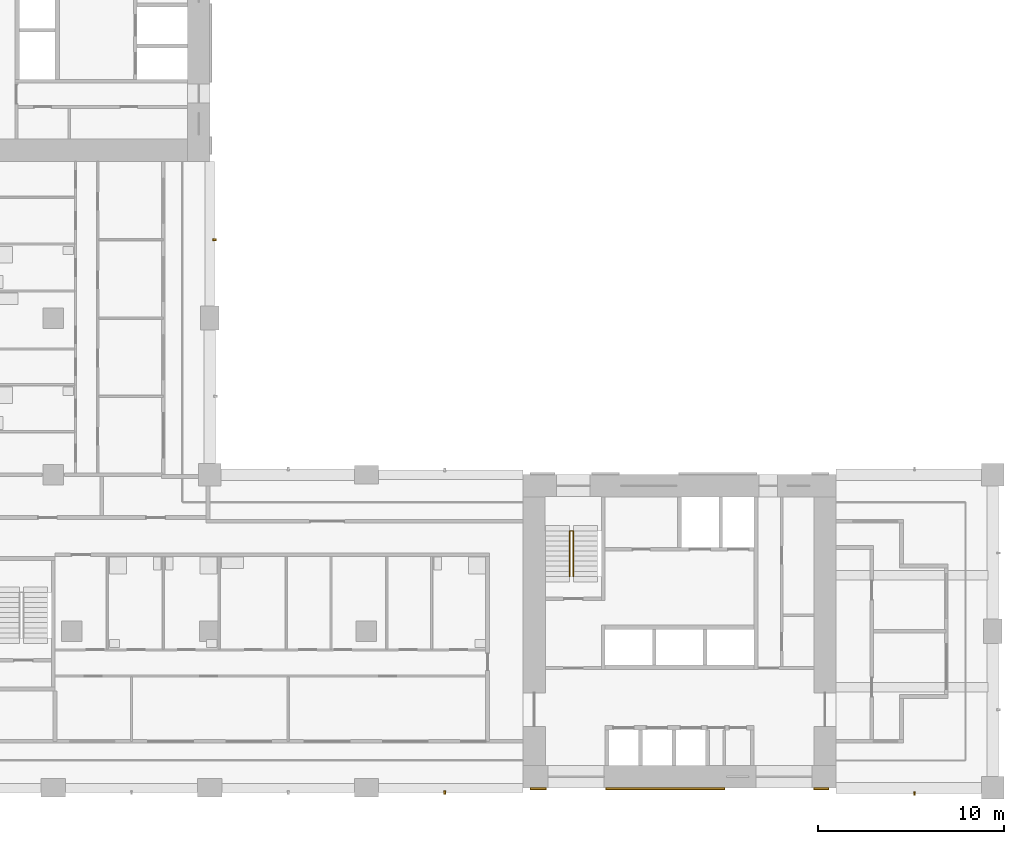
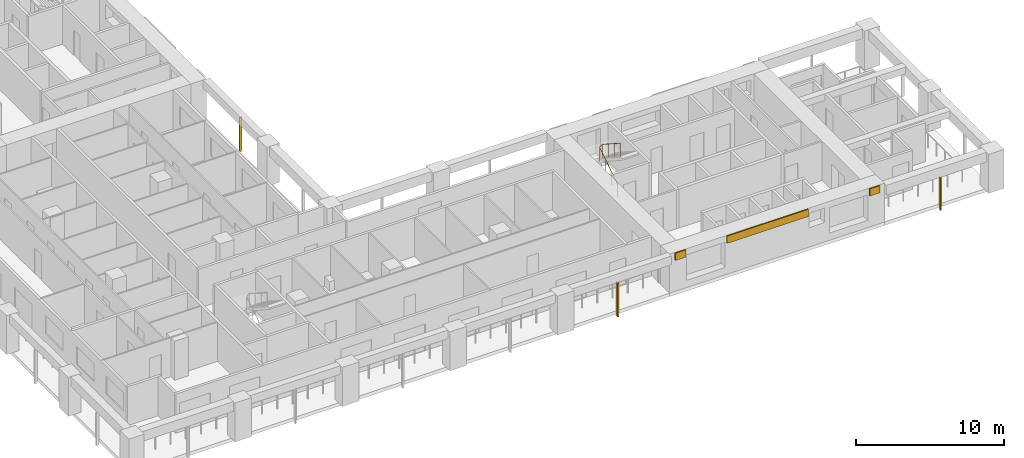
# One storey, part 11 of 16: 6 shading devices, 1 railing.
"""IFC4 building model written with IfcOpenShell, lengths in metres."""

from ifc_helpers import new_model, si_unit, direction, frame, origin, origin_2d, place, context, subcontext, project, spatial, rectangle, circle, extrude, material, layer, layer_set, material_profile, profile_set, type_object, element, save


model = new_model("IFC4")

# Units and contexts
model_context = context("Model", 3, precision=1e-05, world=origin(), true_north=direction((0.0, 1.0)))
body_context = subcontext(model_context, "Body", "Model", "MODEL_VIEW")
ifc_project = project(units=[si_unit("LENGTHUNIT", "METRE"), si_unit("AREAUNIT", "SQUARE_METRE"), si_unit("VOLUMEUNIT", "CUBIC_METRE"), si_unit("PLANEANGLEUNIT", "RADIAN"), si_unit("MASSUNIT", "GRAM", prefix="KILO")], contexts=[model_context])

# Site, building, storey
site_placement = place(None, origin())
site = spatial("IfcSite", under=ifc_project, at=site_placement, CompositionType="ELEMENT")
building_placement = place(site_placement, origin())
building = spatial("IfcBuilding", under=site, at=building_placement, Name="Vermilion Gate Residences", CompositionType="ELEMENT")
storey_placement = place(building_placement, frame((0.0, 0.0, 130.199951171875)))
storey = spatial("IfcBuildingStorey", under=building, at=storey_placement, Name="L33", CompositionType="ELEMENT", Elevation=130.199951171875)

# Railing
ifc_material_1 = material(Name="Steel S355", Category="steel")
railing_type = type_object("IfcRailingType", Name="STAIR GUARD 1100 STEEL", PredefinedType="GUARDRAIL", material=ifc_material_1)
railing_placement = place(storey_placement, frame((44.5, 19.75, 0.175048828125)))
element("IfcRailing", 1, at=railing_placement, inside=storey, type_object=railing_type, Name="Stair well guard STA1-33", PredefinedType="GUARDRAIL", context=body_context, shape_type="SweptSolid", body=[
    extrude(circle(Radius=0.02392578125, at=origin_2d()), frame((0.0, 0.0, 1.076171875), z_axis=(0.0, 0.839153699163, 0.543894354798), x_axis=(-1.0, 0.0, 0.0)), (0.0, 0.0, 1.0), 2.895751953125),
    extrude(circle(Radius=0.02392578125, at=origin_2d()), frame((0.0, 2.429931640625, 2.65087890625), z_axis=(0.752405939678, 0.0, 0.658699705433), x_axis=(0.0, 1.0, 0.0)), (0.0, 0.0, 1.0), 0.265869140625),
    extrude(circle(Radius=0.02392578125, at=origin_2d()), frame((0.199951171875, 2.429931640625, 2.826171875), z_axis=(0.0, -0.839153699163, 0.543894354798), x_axis=(1.0, 0.0, 0.0)), (0.0, 0.0, 1.0), 2.895751953125),
    extrude(circle(Radius=0.02099609375, at=origin_2d()), origin(), (0.0, 0.0, 1.0), 1.052001953125),
    extrude(circle(Radius=0.02099609375, at=origin_2d()), frame((0.0, 0.81005859375, 0.52490234375)), (0.0, 0.0, 1.0), 1.052001953125),
    extrude(circle(Radius=0.02099609375, at=origin_2d()), frame((0.0, 1.619873046875, 1.050048828125)), (0.0, 0.0, 1.0), 1.052001953125),
    extrude(circle(Radius=0.02099609375, at=origin_2d()), frame((0.0, 2.429931640625, 1.574951171875)), (0.0, 0.0, 1.0), 1.052001953125),
    extrude(circle(Radius=0.02099609375, at=origin_2d()), frame((0.199951171875, 2.429931640625, 1.75)), (0.0, 0.0, 1.0), 1.052001953125),
    extrude(circle(Radius=0.02099609375, at=origin_2d()), frame((0.199951171875, 1.619873046875, 2.27490234375)), (0.0, 0.0, 1.0), 1.052001953125),
    extrude(circle(Radius=0.02099609375, at=origin_2d()), frame((0.199951171875, 0.81005859375, 2.800048828125)), (0.0, 0.0, 1.0), 1.052001953125),
    extrude(circle(Radius=0.02099609375, at=origin_2d()), frame((0.199951171875, 0.0, 3.324951171875)), (0.0, 0.0, 1.0), 1.052001953125),
])

# Shading devices
ifc_material_2 = material(Name="Extruded terracotta", Category="masonry")
ifc_material_profile = material_profile(ifc_material_2, rectangle(XDim=0.199951171875, YDim=0.10009765625, at=origin_2d()), Name="BAGUETTE 100 X 200")
ifc_profile_set = profile_set([ifc_material_profile], Name="Extruded terracotta")
shading_device_type_1 = type_object("IfcShadingDeviceType", Name="TERRACOTTA BAGUETTE 100 X 200", PredefinedType="JALOUSIE", material=ifc_profile_set)
shading_device_1_placement = place(storey_placement, frame((37.800048828125, 8.14990234375, -0.280029296875), z_axis=(0.0, 0.0, 1.0), x_axis=(0.0, 1.0, 0.0)))
element("IfcShadingDevice", 2, at=shading_device_1_placement, inside=storey, type_object=shading_device_type_1, Name="BAGUETTE", PredefinedType="JALOUSIE", context=body_context, shape_type="SweptSolid", body=[
    extrude(rectangle(XDim=0.199951171875, YDim=0.10009765625, at=origin_2d()), origin(), (0.0, 0.0, 1.0), 2.800048828125),
])
shading_device_2_placement = place(storey_placement, frame((63.0, 8.10009765625, -0.280029296875), z_axis=(0.0, 0.0, 1.0), x_axis=(0.0, 1.0, 0.0)))
element("IfcShadingDevice", 3, at=shading_device_2_placement, inside=storey, type_object=shading_device_type_1, Name="BAGUETTE", PredefinedType="JALOUSIE", context=body_context, shape_type="SweptSolid", body=[
    extrude(rectangle(XDim=0.199951171875, YDim=0.10009765625, at=origin_2d()), origin(), (0.0, 0.0, 1.0), 2.7001953125),
])
shading_device_3_placement = place(storey_placement, frame((25.449951171875, 37.800048828125, -0.280029296875), z_axis=(0.0, 0.0, 1.0), x_axis=(-1.0, 0.0, 0.0)))
element("IfcShadingDevice", 4, at=shading_device_3_placement, inside=storey, type_object=shading_device_type_1, Name="BAGUETTE", PredefinedType="JALOUSIE", context=body_context, shape_type="SweptSolid", body=[
    extrude(rectangle(XDim=0.199951171875, YDim=0.10009765625, at=origin_2d()), origin(), (0.0, 0.0, 1.0), 2.800048828125),
])
ifc_material_3 = material(Name="Extruded terracotta", Category="masonry")
ifc_layer = layer(ifc_material_3, 0.10009765625)
ifc_layer_set = layer_set([ifc_layer], Name="TERRACOTTA SPANDREL BAND 600 X 100")
shading_device_type_2 = type_object("IfcShadingDeviceType", Name="TERRACOTTA SPANDREL BAND 600 X 100", PredefinedType="USERDEFINED", material=ifc_layer_set)
shading_device_4_placement = place(storey_placement, frame((42.824951171875, 8.35009765625, 2.6201171875), z_axis=(0.0, 0.0, 1.0), x_axis=(1.0, 0.0, 0.0)))
element("IfcShadingDevice", 5, at=shading_device_4_placement, inside=storey, type_object=shading_device_type_2, Name="SPANDREL BAND", ObjectType="BAND", PredefinedType="USERDEFINED", context=body_context, shape_type="SweptSolid", body=[
    extrude(rectangle(XDim=0.85009765625, YDim=0.10009765625, at=origin_2d()), origin(), (0.0, 0.0, 1.0), 0.60009765625),
])
shading_device_5_placement = place(storey_placement, frame((49.6337890625, 8.35009765625, 2.6201171875), z_axis=(0.0, 0.0, 1.0), x_axis=(1.0, 0.0, 0.0)))
element("IfcShadingDevice", 6, at=shading_device_5_placement, inside=storey, type_object=shading_device_type_2, Name="SPANDREL BAND", ObjectType="BAND", PredefinedType="USERDEFINED", context=body_context, shape_type="SweptSolid", body=[
    extrude(rectangle(XDim=6.367431640625, YDim=0.10009765625, at=origin_2d()), origin(), (0.0, 0.0, 1.0), 0.60009765625),
])
shading_device_6_placement = place(storey_placement, frame((58.0, 8.35009765625, 2.6201171875), z_axis=(0.0, 0.0, 1.0), x_axis=(1.0, 0.0, 0.0)))
element("IfcShadingDevice", 7, at=shading_device_6_placement, inside=storey, type_object=shading_device_type_2, Name="SPANDREL BAND", ObjectType="BAND", PredefinedType="USERDEFINED", context=body_context, shape_type="SweptSolid", body=[
    extrude(rectangle(XDim=0.800048828125, YDim=0.10009765625, at=origin_2d()), origin(), (0.0, 0.0, 1.0), 0.60009765625),
])

save(model, "model.ifc")
